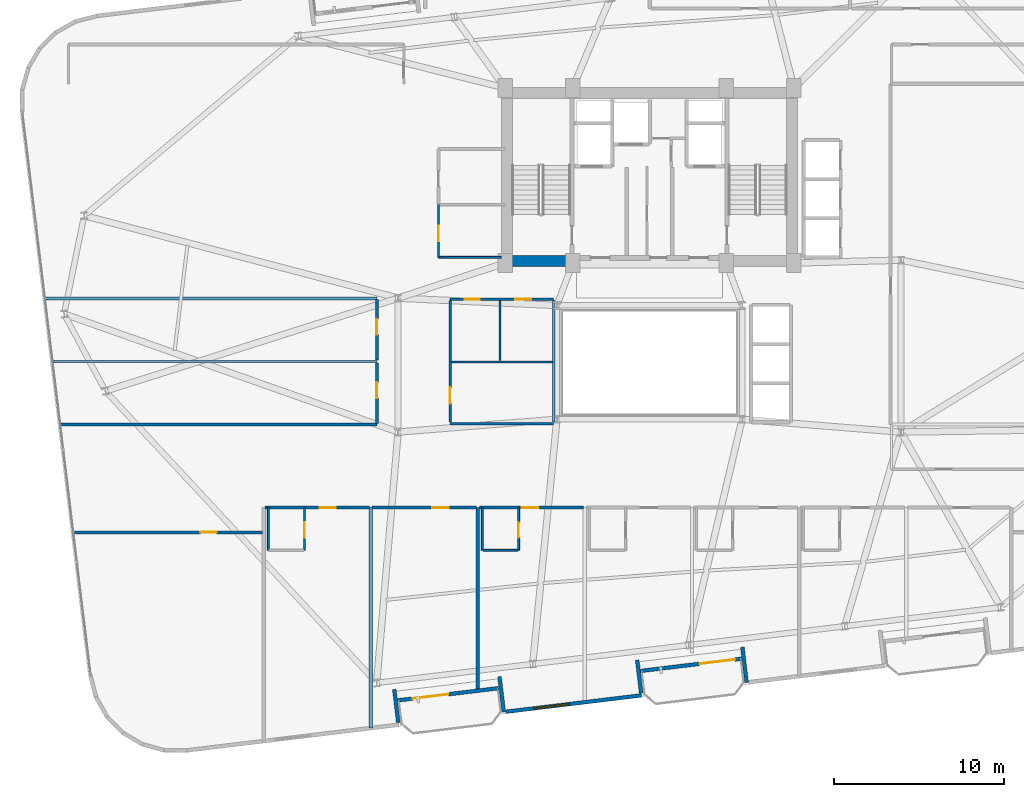
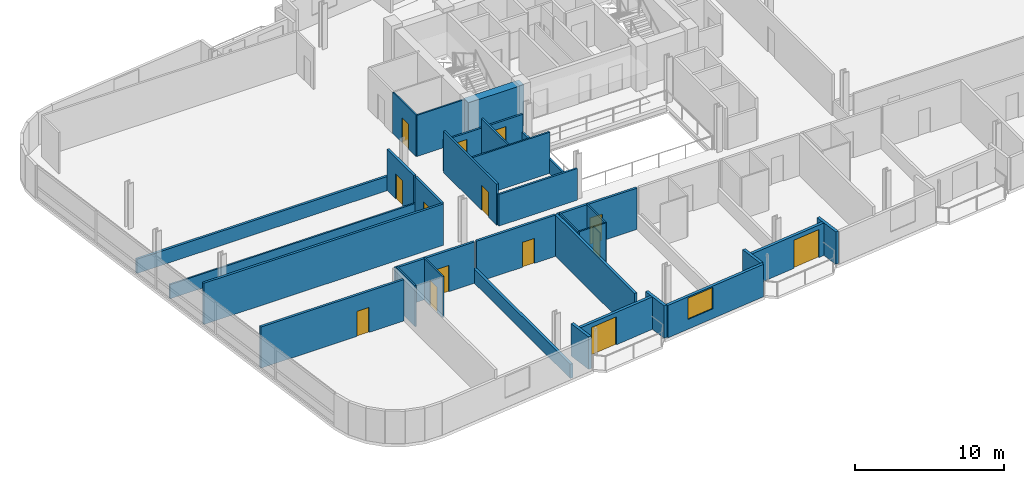
# One storey, part 14 of 22: 32 walls, 14 doors, 1 window, 15 openings.
"""IFC4 building model written with IfcOpenShell, lengths in metres."""

from ifc_helpers import new_model, si_unit, direction, frame, frame_2d, origin, place, context, subcontext, project, spatial, rectangle, extrude, material, layer, layer_set, type_object, element, fill, save


model = new_model("IFC4")

# Units and contexts
model_context = context("Model", 3, precision=1e-05, world=origin(), true_north=direction((0.0, 1.0)))
body_context = subcontext(model_context, "Body", "Model", "MODEL_VIEW")
ifc_project = project(units=[si_unit("LENGTHUNIT", "METRE"), si_unit("AREAUNIT", "SQUARE_METRE"), si_unit("VOLUMEUNIT", "CUBIC_METRE"), si_unit("PLANEANGLEUNIT", "RADIAN"), si_unit("MASSUNIT", "GRAM", prefix="KILO")], contexts=[model_context])

# Site, building, storey
site_placement = place(None, origin())
site = spatial("IfcSite", under=ifc_project, at=site_placement, CompositionType="ELEMENT")
building_placement = place(site_placement, origin())
building = spatial("IfcBuilding", under=site, at=building_placement, Name="Varnelok Gate Tower", CompositionType="ELEMENT")
storey_placement = place(building_placement, frame((0.0, 0.0, 204.199951171875)))
storey = spatial("IfcBuildingStorey", under=building, at=storey_placement, Name="L52", CompositionType="ELEMENT", Elevation=204.199951171875)

# Wall, opening, door
ifc_material_1 = material(Name="Concrete C45/55", Category="concrete")
ifc_layer_1 = layer(ifc_material_1, 0.219970703125)
ifc_layer_set_1 = layer_set([ifc_layer_1], Name="Concrete C45/55")
wall_type_1 = type_object("IfcWallType", Name="EW-BALC-220", PredefinedType="SOLIDWALL", material=ifc_layer_set_1)
wall_1_placement = place(storey_placement, frame((30.331787109375, 3.72607421875, 0.0), z_axis=(0.0, 0.0, 1.0), x_axis=(-0.992729951822, -0.120362962556, 0.0)))
wall_1 = element("IfcWall", 1, at=wall_1_placement, inside=storey, type_object=wall_type_1, Name="L52 South Terrace Envelope Wall 1", PredefinedType="SOLIDWALL", context=body_context, shape_type="SweptSolid", body=[
    extrude(rectangle(XDim=6.0, YDim=0.219970703125, at=frame_2d((3.0, 0.0))), origin(), (0.0, 0.0, 1.0), 2.66015625),
])
opening_1_placement = place(wall_1_placement, frame((3.00390625, 0.0, 0.0)))
opening_1 = element("IfcOpeningElement", 2, at=opening_1_placement, cuts=wall_1, Name="Opening BD-2", PredefinedType="OPENING", context=body_context, shape_type="SweptSolid", body=[
    extrude(rectangle(XDim=2.10009765625, YDim=2.300048828125, at=frame_2d((1.050048828125, 1.14990234375))), frame((0.0, 0.119873046875, 0.0), z_axis=(0.0, -1.0, 0.0), x_axis=(1.0, 0.0, 0.0)), (0.0, 0.0, 1.0), 0.239990234375),
])
ifc_material_2 = material(Name="Anodized Aluminum Alloy 6063-T6", Category="aluminium")
door_type_1 = type_object("IfcDoorType", Name="DR-EXT-SLID2100", OperationType="SLIDING_TO_LEFT", PredefinedType="DOOR", material=ifc_material_2)
door_1_placement = place(opening_1_placement, origin())
door_1 = element("IfcDoor", 3, at=door_1_placement, inside=storey, type_object=door_type_1, Name="L52 South Balcony Glazed Door 1", OperationType="SLIDING_TO_LEFT", OverallHeight=2.300048828125, OverallWidth=2.10009765625, PredefinedType="DOOR", context=body_context, shape_type="SweptSolid", body=[
    extrude(rectangle(XDim=2.10009765625, YDim=2.300048828125, at=frame_2d((1.050048828125, 1.14990234375))), frame((0.0, 0.02490234375, 0.0), z_axis=(0.0, -1.0, 0.0), x_axis=(1.0, 0.0, 0.0)), (0.0, 0.0, 1.0), 0.050048828125),
])
fill(opening_1, door_1)

wall_2_placement = place(storey_placement, frame((44.627197265625, 5.458984375, 0.0), z_axis=(0.0, 0.0, 1.0), x_axis=(-0.992729951822, -0.120362962556, 0.0)))
wall_2 = element("IfcWall", 4, at=wall_2_placement, inside=storey, type_object=wall_type_1, Name="L52 South Terrace Envelope Wall 2", PredefinedType="SOLIDWALL", context=body_context, shape_type="SweptSolid", body=[
    extrude(rectangle(XDim=6.0, YDim=0.219970703125, at=frame_2d((3.0, 0.0))), origin(), (0.0, 0.0, 1.0), 2.66015625),
])
opening_2_placement = place(wall_2_placement, frame((0.39990234375, 0.0, 0.0)))
opening_2 = element("IfcOpeningElement", 5, at=opening_2_placement, cuts=wall_2, Name="Opening BD-2", PredefinedType="OPENING", context=body_context, shape_type="SweptSolid", body=[
    extrude(rectangle(XDim=2.10009765625, YDim=2.300048828125, at=frame_2d((1.050048828125, 1.14990234375))), frame((0.0, 0.119873046875, 0.0), z_axis=(0.0, -1.0, 0.0), x_axis=(1.0, 0.0, 0.0)), (0.0, 0.0, 1.0), 0.239990234375),
])
door_2_placement = place(opening_2_placement, origin())
door_2 = element("IfcDoor", 6, at=door_2_placement, inside=storey, type_object=door_type_1, Name="L52 South Balcony Glazed Door 2", OperationType="SLIDING_TO_LEFT", OverallHeight=2.300048828125, OverallWidth=2.10009765625, PredefinedType="DOOR", context=body_context, shape_type="SweptSolid", body=[
    extrude(rectangle(XDim=2.10009765625, YDim=2.300048828125, at=frame_2d((1.050048828125, 1.14990234375))), frame((0.0, 0.02490234375, 0.0), z_axis=(0.0, -1.0, 0.0), x_axis=(1.0, 0.0, 0.0)), (0.0, 0.0, 1.0), 0.050048828125),
])
fill(opening_2, door_2)

# Walls
wall_3_placement = place(storey_placement, frame((24.413330078125, 1.694091796875, 0.0), z_axis=(0.0, 0.0, 1.0), x_axis=(-0.120290754542, 0.992738703976, 0.0)))
element("IfcWall", 7, at=wall_3_placement, inside=storey, type_object=wall_type_1, Name="L52 Perimeter Facade Closure Wall 8", PredefinedType="SOLIDWALL", context=body_context, shape_type="SweptSolid", body=[
    extrude(rectangle(XDim=1.974853515625, YDim=0.219970703125, at=frame_2d((0.9873046875, 0.0))), origin(), (0.0, 0.0, 1.0), 2.66015625),
])
wall_4_placement = place(storey_placement, frame((30.370361328125, 4.405517578125, 0.0), z_axis=(0.0, 0.0, 1.0), x_axis=(0.120327895535, -0.992734202874, 0.0)))
element("IfcWall", 8, at=wall_4_placement, inside=storey, type_object=wall_type_1, Name="L52 Perimeter Facade Closure Wall 9", PredefinedType="SOLIDWALL", context=body_context, shape_type="SweptSolid", body=[
    extrude(rectangle(XDim=2.099853515625, YDim=0.219970703125, at=frame_2d((1.0498046875, 0.0))), origin(), (0.0, 0.0, 1.0), 2.66015625),
])

# Wall, opening, window
wall_5_placement = place(storey_placement, frame((30.747314453125, 2.335693359375, 0.0), z_axis=(0.0, 0.0, 1.0), x_axis=(0.992731032022, 0.120354052946, 0.0)))
wall_5 = element("IfcWall", 9, at=wall_5_placement, inside=storey, type_object=wall_type_1, Name="L52 Perimeter Facade Closure Wall 10", PredefinedType="SOLIDWALL", context=body_context, shape_type="SweptSolid", body=[
    extrude(rectangle(XDim=8.034912109375, YDim=0.219970703125, at=frame_2d((4.017578125, 0.0))), origin(), (0.0, 0.0, 1.0), 2.66015625),
])
opening_3_placement = place(wall_5_placement, frame((1.661865234375, 0.0, 0.800048828125)))
opening_3 = element("IfcOpeningElement", 10, at=opening_3_placement, cuts=wall_5, Name="Opening WN4", PredefinedType="OPENING", context=body_context, shape_type="SweptSolid", body=[
    extrude(rectangle(XDim=2.10009765625, YDim=1.75, at=frame_2d((1.050048828125, 0.875))), frame((0.0, 0.119873046875, 0.0), z_axis=(0.0, -1.0, 0.0), x_axis=(1.0, 0.0, 0.0)), (0.0, 0.0, 1.0), 0.239990234375),
])
ifc_material_3 = material(Name="Low-E Laminated Double Glazing IGU", Category="glass")
window_type = type_object("IfcWindowType", Name="WN-SUI-2100", PartitioningType="SINGLE_PANEL", PredefinedType="WINDOW", material=ifc_material_3)
window_placement = place(opening_3_placement, origin())
window = element("IfcWindow", 11, at=window_placement, inside=storey, type_object=window_type, Name="L52 Perimeter Vision Window 10", OverallHeight=1.75, OverallWidth=2.10009765625, PartitioningType="SINGLE_PANEL", PredefinedType="WINDOW", context=body_context, shape_type="SweptSolid", body=[
    extrude(rectangle(XDim=2.10009765625, YDim=1.75, at=frame_2d((1.050048828125, 0.875))), frame((0.0, 0.030029296875, 0.0), z_axis=(0.0, -1.0, 0.0), x_axis=(1.0, 0.0, 0.0)), (0.0, 0.0, 1.0), 0.06005859375),
])
fill(opening_3, window)

# Walls
wall_6_placement = place(storey_placement, frame((38.708740234375, 3.427001953125, 0.0), z_axis=(0.0, 0.0, 1.0), x_axis=(-0.120397815541, 0.992725725472, 0.0)))
element("IfcWall", 12, at=wall_6_placement, inside=storey, type_object=wall_type_1, Name="L52 Perimeter Facade Closure Wall 11", PredefinedType="SOLIDWALL", context=body_context, shape_type="SweptSolid", body=[
    extrude(rectangle(XDim=1.97509765625, YDim=0.219970703125, at=frame_2d((0.987548828125, 0.0))), origin(), (0.0, 0.0, 1.0), 2.66015625),
])
wall_7_placement = place(storey_placement, frame((44.665771484375, 6.138427734375, 0.0), z_axis=(0.0, 0.0, 1.0), x_axis=(0.120327895535, -0.992734202874, 0.0)))
element("IfcWall", 13, at=wall_7_placement, inside=storey, type_object=wall_type_1, Name="L52 Perimeter Facade Closure Wall 12", PredefinedType="SOLIDWALL", context=body_context, shape_type="SweptSolid", body=[
    extrude(rectangle(XDim=2.099853515625, YDim=0.219970703125, at=frame_2d((1.0498046875, 0.0))), origin(), (0.0, 0.0, 1.0), 2.66015625),
])

# Wall, opening, door
ifc_material_4 = material(Name="Gypsum Plasterboard Acoustic Partition", Category="gypsum")
ifc_layer_2 = layer(ifc_material_4, 0.179931640625)
ifc_layer_set_2 = layer_set([ifc_layer_2], Name="Gypsum Plasterboard Acoustic Partition")
wall_type_2 = type_object("IfcWallType", Name="PW-CORR-180", PredefinedType="PARTITIONING", material=ifc_layer_set_2)
wall_8_placement = place(storey_placement, frame((5.32568359375, 12.89990234375, 0.0), z_axis=(0.0, 0.0, 1.0), x_axis=(1.0, 0.0, 0.0)))
wall_8 = element("IfcWall", 14, at=wall_8_placement, inside=storey, type_object=wall_type_2, Name="Interior Partition", PredefinedType="PARTITIONING", context=body_context, shape_type="SweptSolid", body=[
    extrude(rectangle(XDim=11.09423828125, YDim=0.179931640625, at=frame_2d((5.547119140625, 0.0))), origin(), (0.0, 0.0, 1.0), 3.380126953125),
])
opening_4_placement = place(wall_8_placement, frame((7.439208984375, 0.0, 0.0)))
opening_4 = element("IfcOpeningElement", 15, at=opening_4_placement, cuts=wall_8, Name="Opening D-I2", PredefinedType="OPENING", context=body_context, shape_type="SweptSolid", body=[
    extrude(rectangle(XDim=0.949951171875, YDim=2.050048828125, at=frame_2d((0.47509765625, 1.02490234375))), frame((0.0, 0.099853515625, 0.0), z_axis=(0.0, -1.0, 0.0), x_axis=(1.0, 0.0, 0.0)), (0.0, 0.0, 1.0), 0.199951171875),
])
ifc_material_5 = material(Name="Engineered Hardwood Timber", Category="wood")
door_type_2 = type_object("IfcDoorType", Name="DR-INT-950", OperationType="NOTDEFINED", PredefinedType="DOOR", material=ifc_material_5)
door_3_placement = place(opening_4_placement, origin())
door_3 = element("IfcDoor", 16, at=door_3_placement, inside=storey, type_object=door_type_2, Name="L52 Wellness Spa Lounge Door", OperationType="SINGLE_SWING_LEFT", OverallHeight=2.050048828125, OverallWidth=0.949951171875, PredefinedType="DOOR", context=body_context, shape_type="SweptSolid", body=[
    extrude(rectangle(XDim=0.949951171875, YDim=2.050048828125, at=frame_2d((0.47509765625, 1.02490234375))), frame((0.0, 0.02490234375, 0.0), z_axis=(0.0, -1.0, 0.0), x_axis=(1.0, 0.0, 0.0)), (0.0, 0.0, 1.0), 0.050048828125),
])
fill(opening_4, door_3)

wall_9_placement = place(storey_placement, frame((16.580078125, 14.35009765625, 0.0), z_axis=(0.0, 0.0, 1.0), x_axis=(1.0, 0.0, 0.0)))
wall_9 = element("IfcWall", 17, at=wall_9_placement, inside=storey, type_object=wall_type_2, Name="Interior Partition", PredefinedType="PARTITIONING", context=body_context, shape_type="SweptSolid", body=[
    extrude(rectangle(XDim=6.139892578125, YDim=0.179931640625, at=frame_2d((3.06982421875, 0.0))), origin(), (0.0, 0.0, 1.0), 3.380126953125),
])
opening_5_placement = place(wall_9_placement, frame((3.21435546875, 0.0, 0.0)))
opening_5 = element("IfcOpeningElement", 18, at=opening_5_placement, cuts=wall_9, Name="Opening D-HT", PredefinedType="OPENING", context=body_context, shape_type="SweptSolid", body=[
    extrude(rectangle(XDim=0.949951171875, YDim=2.14990234375, at=frame_2d((0.47509765625, 1.074951171875))), frame((0.0, 0.099853515625, 0.0), z_axis=(0.0, -1.0, 0.0), x_axis=(1.0, 0.0, 0.0)), (0.0, 0.0, 1.0), 0.199951171875),
])
door_type_3 = type_object("IfcDoorType", Name="DR-HTL-950", OperationType="NOTDEFINED", PredefinedType="DOOR", material=ifc_material_5)
door_4_placement = place(opening_5_placement, origin())
door_4 = element("IfcDoor", 19, at=door_4_placement, inside=storey, type_object=door_type_3, Name="L52 Guest Room 02 Entrance Door", OperationType="SINGLE_SWING_LEFT", OverallHeight=2.14990234375, OverallWidth=0.949951171875, PredefinedType="DOOR", context=body_context, shape_type="SweptSolid", body=[
    extrude(rectangle(XDim=0.949951171875, YDim=2.14990234375, at=frame_2d((0.47509765625, 1.074951171875))), frame((0.0, 0.02490234375, 0.0), z_axis=(0.0, -1.0, 0.0), x_axis=(1.0, 0.0, 0.0)), (0.0, 0.0, 1.0), 0.050048828125),
])
fill(opening_5, door_4)

wall_10_placement = place(storey_placement, frame((22.8798828125, 14.35009765625, 0.0), z_axis=(0.0, 0.0, 1.0), x_axis=(1.0, 0.0, 0.0)))
wall_10 = element("IfcWall", 20, at=wall_10_placement, inside=storey, type_object=wall_type_2, Name="Interior Partition", PredefinedType="PARTITIONING", context=body_context, shape_type="SweptSolid", body=[
    extrude(rectangle(XDim=6.14013671875, YDim=0.179931640625, at=frame_2d((3.070068359375, 0.0))), origin(), (0.0, 0.0, 1.0), 3.380126953125),
])
opening_6_placement = place(wall_10_placement, frame((3.544921875, 0.0, 0.0)))
opening_6 = element("IfcOpeningElement", 21, at=opening_6_placement, cuts=wall_10, Name="Opening D-I2", PredefinedType="OPENING", context=body_context, shape_type="SweptSolid", body=[
    extrude(rectangle(XDim=0.949951171875, YDim=2.050048828125, at=frame_2d((0.47509765625, 1.02490234375))), frame((0.0, 0.099853515625, 0.0), z_axis=(0.0, -1.0, 0.0), x_axis=(1.0, 0.0, 0.0)), (0.0, 0.0, 1.0), 0.199951171875),
])
door_5_placement = place(opening_6_placement, origin())
door_5 = element("IfcDoor", 22, at=door_5_placement, inside=storey, type_object=door_type_2, Name="L52 Wellness Spa Lounge Door", OperationType="SINGLE_SWING_LEFT", OverallHeight=2.050048828125, OverallWidth=0.949951171875, PredefinedType="DOOR", context=body_context, shape_type="SweptSolid", body=[
    extrude(rectangle(XDim=0.949951171875, YDim=2.050048828125, at=frame_2d((0.47509765625, 1.02490234375))), frame((0.0, 0.02490234375, 0.0), z_axis=(0.0, -1.0, 0.0), x_axis=(1.0, 0.0, 0.0)), (0.0, 0.0, 1.0), 0.050048828125),
])
fill(opening_6, door_5)

wall_11_placement = place(storey_placement, frame((29.179931640625, 14.35009765625, 0.0), z_axis=(0.0, 0.0, 1.0), x_axis=(1.0, 0.0, 0.0)))
wall_11 = element("IfcWall", 23, at=wall_11_placement, inside=storey, type_object=wall_type_2, Name="Interior Partition", PredefinedType="PARTITIONING", context=body_context, shape_type="SweptSolid", body=[
    extrude(rectangle(XDim=6.14013671875, YDim=0.179931640625, at=frame_2d((3.070068359375, 0.0))), origin(), (0.0, 0.0, 1.0), 3.380126953125),
])
opening_7_placement = place(wall_11_placement, frame((2.511962890625, 0.0, 0.0)))
opening_7 = element("IfcOpeningElement", 24, at=opening_7_placement, cuts=wall_11, Name="Opening D-HT", PredefinedType="OPENING", context=body_context, shape_type="SweptSolid", body=[
    extrude(rectangle(XDim=0.949951171875, YDim=2.14990234375, at=frame_2d((0.47509765625, 1.074951171875))), frame((0.0, 0.099853515625, 0.0), z_axis=(0.0, -1.0, 0.0), x_axis=(1.0, 0.0, 0.0)), (0.0, 0.0, 1.0), 0.199951171875),
])
door_6_placement = place(opening_7_placement, origin())
door_6 = element("IfcDoor", 25, at=door_6_placement, inside=storey, type_object=door_type_3, Name="L52 Guest Room 04 Entrance Door", OperationType="SINGLE_SWING_LEFT", OverallHeight=2.14990234375, OverallWidth=0.949951171875, PredefinedType="DOOR", context=body_context, shape_type="SweptSolid", body=[
    extrude(rectangle(XDim=0.949951171875, YDim=2.14990234375, at=frame_2d((0.47509765625, 1.074951171875))), frame((0.0, 0.02490234375, 0.0), z_axis=(0.0, -1.0, 0.0), x_axis=(1.0, 0.0, 0.0)), (0.0, 0.0, 1.0), 0.050048828125),
])
fill(opening_7, door_6)

wall_12_placement = place(storey_placement, frame((23.14990234375, 19.300048828125, 0.0), z_axis=(0.0, 0.0, 1.0), x_axis=(0.0, 1.0, 0.0)))
wall_12 = element("IfcWall", 26, at=wall_12_placement, inside=storey, type_object=wall_type_2, Name="Interior Partition", PredefinedType="PARTITIONING", context=body_context, shape_type="SweptSolid", body=[
    extrude(rectangle(XDim=3.570068359375, YDim=0.179931640625, at=frame_2d((1.78515625, 0.0))), origin(), (0.0, 0.0, 1.0), 3.380126953125),
])
opening_8_placement = place(wall_12_placement, frame((1.49951171875, 0.0, 0.0)))
opening_8 = element("IfcOpeningElement", 27, at=opening_8_placement, cuts=wall_12, Name="Opening D-I3", PredefinedType="OPENING", context=body_context, shape_type="SweptSolid", body=[
    extrude(rectangle(XDim=0.919921875, YDim=2.050048828125, at=frame_2d((0.4599609375, 1.02490234375))), frame((0.0, 0.099853515625, 0.0), z_axis=(0.0, -1.0, 0.0), x_axis=(1.0, 0.0, 0.0)), (0.0, 0.0, 1.0), 0.199951171875),
])
door_type_4 = type_object("IfcDoorType", Name="DR-INT-920", OperationType="NOTDEFINED", PredefinedType="DOOR", material=ifc_material_5)
door_7_placement = place(opening_8_placement, origin())
door_7 = element("IfcDoor", 28, at=door_7_placement, inside=storey, type_object=door_type_4, Name="L52 West Wing Room 1 Door", OperationType="SINGLE_SWING_LEFT", OverallHeight=2.050048828125, OverallWidth=0.919921875, PredefinedType="DOOR", context=body_context, shape_type="SweptSolid", body=[
    extrude(rectangle(XDim=0.919921875, YDim=2.050048828125, at=frame_2d((0.4599609375, 1.02490234375))), frame((0.0, 0.02490234375, 0.0), z_axis=(0.0, -1.0, 0.0), x_axis=(1.0, 0.0, 0.0)), (0.0, 0.0, 1.0), 0.050048828125),
])
fill(opening_8, door_7)

wall_13_placement = place(storey_placement, frame((23.14990234375, 23.030029296875, 0.0), z_axis=(0.0, 0.0, 1.0), x_axis=(0.0, 1.0, 0.0)))
wall_13 = element("IfcWall", 29, at=wall_13_placement, inside=storey, type_object=wall_type_2, Name="Interior Partition", PredefinedType="PARTITIONING", context=body_context, shape_type="SweptSolid", body=[
    extrude(rectangle(XDim=3.570068359375, YDim=0.179931640625, at=frame_2d((1.78515625, 0.0))), origin(), (0.0, 0.0, 1.0), 3.380126953125),
])
opening_9_placement = place(wall_13_placement, frame((1.49951171875, 0.0, 0.0)))
opening_9 = element("IfcOpeningElement", 30, at=opening_9_placement, cuts=wall_13, Name="Opening D-I3", PredefinedType="OPENING", context=body_context, shape_type="SweptSolid", body=[
    extrude(rectangle(XDim=0.919921875, YDim=2.050048828125, at=frame_2d((0.4599609375, 1.02490234375))), frame((0.0, 0.099853515625, 0.0), z_axis=(0.0, -1.0, 0.0), x_axis=(1.0, 0.0, 0.0)), (0.0, 0.0, 1.0), 0.199951171875),
])
door_8_placement = place(opening_9_placement, origin())
door_8 = element("IfcDoor", 31, at=door_8_placement, inside=storey, type_object=door_type_4, Name="L52 West Wing Room 2 Door", OperationType="SINGLE_SWING_RIGHT", OverallHeight=2.050048828125, OverallWidth=0.919921875, PredefinedType="DOOR", context=body_context, shape_type="SweptSolid", body=[
    extrude(rectangle(XDim=0.919921875, YDim=2.050048828125, at=frame_2d((0.4599609375, 1.02490234375))), frame((0.0, 0.02490234375, 0.0), z_axis=(0.0, -1.0, 0.0), x_axis=(1.0, 0.0, 0.0)), (0.0, 0.0, 1.0), 0.050048828125),
])
fill(opening_9, door_8)

# Walls
wall_14_placement = place(storey_placement, frame((4.55712890625, 19.239990234375, 0.0), z_axis=(0.0, 0.0, 1.0), x_axis=(1.0, 0.0, 0.0)))
element("IfcWall", 32, at=wall_14_placement, inside=storey, type_object=wall_type_2, Name="Interior Partition", PredefinedType="PARTITIONING", context=body_context, shape_type="SweptSolid", body=[
    extrude(rectangle(XDim=18.5927734375, YDim=0.179931640625, at=frame_2d((9.29638671875, 0.0))), origin(), (0.0, 0.0, 1.0), 3.380126953125),
])
wall_15_placement = place(storey_placement, frame((3.65771484375, 26.659912109375, 0.0), z_axis=(0.0, 0.0, 1.0), x_axis=(1.0, 0.0, 0.0)))
element("IfcWall", 33, at=wall_15_placement, inside=storey, type_object=wall_type_2, Name="Interior Partition", PredefinedType="PARTITIONING", context=body_context, shape_type="SweptSolid", body=[
    extrude(rectangle(XDim=19.4921875, YDim=0.179931640625, at=frame_2d((9.74609375, 0.0))), origin(), (0.0, 0.0, 1.0), 1.1650390625),
])

# Wall, opening, door
ifc_layer_3 = layer(ifc_material_4, 0.114990234375)
ifc_layer_set_3 = layer_set([ifc_layer_3], Name="Gypsum Plasterboard Acoustic Partition")
wall_type_3 = type_object("IfcWallType", Name="PW-ENS-125", PredefinedType="PARTITIONING", material=ifc_layer_set_3)
wall_16_placement = place(storey_placement, frame((18.89208984375, 11.830078125, 0.0), z_axis=(0.0, 0.0, 1.0), x_axis=(0.0, 1.0, 0.0)))
wall_16 = element("IfcWall", 34, at=wall_16_placement, inside=storey, type_object=wall_type_3, Name="Interior Partition", PredefinedType="PARTITIONING", context=body_context, shape_type="SweptSolid", body=[
    extrude(rectangle(XDim=2.52001953125, YDim=0.114990234375, at=frame_2d((1.260009765625, 0.0))), origin(), (0.0, 0.0, 1.0), 3.380126953125),
])
opening_10_placement = place(wall_16_placement, frame((0.760009765625, 0.0, 0.0)))
opening_10 = element("IfcOpeningElement", 35, at=opening_10_placement, cuts=wall_16, Name="Opening D-WC", PredefinedType="OPENING", context=body_context, shape_type="SweptSolid", body=[
    extrude(rectangle(XDim=0.89990234375, YDim=2.050048828125, at=frame_2d((0.449951171875, 1.02490234375))), frame((0.0, 0.0673828125, 0.0), z_axis=(0.0, -1.0, 0.0), x_axis=(1.0, 0.0, 0.0)), (0.0, 0.0, 1.0), 0.135009765625),
])
door_type_5 = type_object("IfcDoorType", Name="DR-BATH-900", OperationType="NOTDEFINED", PredefinedType="DOOR", material=ifc_material_5)
door_9_placement = place(opening_10_placement, origin())
door_9 = element("IfcDoor", 36, at=door_9_placement, inside=storey, type_object=door_type_5, Name="L52 Guest En-Suite 02 Door", OperationType="SINGLE_SWING_LEFT", OverallHeight=2.050048828125, OverallWidth=0.89990234375, PredefinedType="DOOR", context=body_context, shape_type="SweptSolid", body=[
    extrude(rectangle(XDim=0.89990234375, YDim=2.050048828125, at=frame_2d((0.449951171875, 1.02490234375))), frame((0.0, 0.02490234375, 0.0), z_axis=(0.0, -1.0, 0.0), x_axis=(1.0, 0.0, 0.0)), (0.0, 0.0, 1.0), 0.050048828125),
])
fill(opening_10, door_9)

# Walls
wall_17_placement = place(storey_placement, frame((16.760009765625, 11.830078125, 0.0), z_axis=(0.0, 0.0, 1.0), x_axis=(0.0, 1.0, 0.0)))
element("IfcWall", 37, at=wall_17_placement, inside=storey, type_object=wall_type_3, Name="Interior Partition", PredefinedType="PARTITIONING", context=body_context, shape_type="SweptSolid", body=[
    extrude(rectangle(XDim=2.52001953125, YDim=0.114990234375, at=frame_2d((1.260009765625, 0.0))), origin(), (0.0, 0.0, 1.0), 3.380126953125),
])
wall_18_placement = place(storey_placement, frame((29.39990234375, 11.830078125, 0.0), z_axis=(0.0, 0.0, 1.0), x_axis=(1.0, 0.0, 0.0)))
element("IfcWall", 38, at=wall_18_placement, inside=storey, type_object=wall_type_3, Name="Interior Partition", PredefinedType="PARTITIONING", context=body_context, shape_type="SweptSolid", body=[
    extrude(rectangle(XDim=2.052001953125, YDim=0.114990234375, at=frame_2d((1.02587890625, 0.0))), origin(), (0.0, 0.0, 1.0), 3.380126953125),
])

# Wall, opening, door
wall_19_placement = place(storey_placement, frame((31.491943359375, 11.830078125, 0.0), z_axis=(0.0, 0.0, 1.0), x_axis=(0.0, 1.0, 0.0)))
wall_19 = element("IfcWall", 39, at=wall_19_placement, inside=storey, type_object=wall_type_3, Name="Interior Partition", PredefinedType="PARTITIONING", context=body_context, shape_type="SweptSolid", body=[
    extrude(rectangle(XDim=2.52001953125, YDim=0.114990234375, at=frame_2d((1.260009765625, 0.0))), origin(), (0.0, 0.0, 1.0), 3.380126953125),
])
opening_11_placement = place(wall_19_placement, frame((0.760009765625, 0.0, 0.0)))
opening_11 = element("IfcOpeningElement", 40, at=opening_11_placement, cuts=wall_19, Name="Opening D-WC", PredefinedType="OPENING", context=body_context, shape_type="SweptSolid", body=[
    extrude(rectangle(XDim=0.89990234375, YDim=2.050048828125, at=frame_2d((0.449951171875, 1.02490234375))), frame((0.0, 0.0673828125, 0.0), z_axis=(0.0, -1.0, 0.0), x_axis=(1.0, 0.0, 0.0)), (0.0, 0.0, 1.0), 0.135009765625),
])
door_10_placement = place(opening_11_placement, origin())
door_10 = element("IfcDoor", 41, at=door_10_placement, inside=storey, type_object=door_type_5, Name="L52 Guest En-Suite 04 Door", OperationType="SINGLE_SWING_LEFT", OverallHeight=2.050048828125, OverallWidth=0.89990234375, PredefinedType="DOOR", context=body_context, shape_type="SweptSolid", body=[
    extrude(rectangle(XDim=0.89990234375, YDim=2.050048828125, at=frame_2d((0.449951171875, 1.02490234375))), frame((0.0, 0.02490234375, 0.0), z_axis=(0.0, -1.0, 0.0), x_axis=(1.0, 0.0, 0.0)), (0.0, 0.0, 1.0), 0.050048828125),
])
fill(opening_11, door_10)

# Walls
wall_20_placement = place(storey_placement, frame((29.360107421875, 11.830078125, 0.0), z_axis=(0.0, 0.0, 1.0), x_axis=(0.0, 1.0, 0.0)))
element("IfcWall", 42, at=wall_20_placement, inside=storey, type_object=wall_type_3, Name="Interior Partition", PredefinedType="PARTITIONING", context=body_context, shape_type="SweptSolid", body=[
    extrude(rectangle(XDim=2.52001953125, YDim=0.114990234375, at=frame_2d((1.260009765625, 0.0))), origin(), (0.0, 0.0, 1.0), 3.380126953125),
])
wall_21_placement = place(storey_placement, frame((26.780029296875, 29.080078125, 0.0), z_axis=(0.0, 0.0, 1.0), x_axis=(1.0, 0.0, 0.0)))
element("IfcWall", 43, at=wall_21_placement, inside=storey, type_object=wall_type_3, Name="Interior Partition", PredefinedType="PARTITIONING", context=body_context, shape_type="SweptSolid", body=[
    extrude(rectangle(XDim=3.699951171875, YDim=0.114990234375, at=frame_2d((1.85009765625, 0.0))), origin(), (0.0, 0.0, 1.0), 3.380126953125),
])

# Wall, opening, door
wall_22_placement = place(storey_placement, frame((26.780029296875, 29.080078125, 0.0), z_axis=(0.0, 0.0, 1.0), x_axis=(0.0, 1.0, 0.0)))
wall_22 = element("IfcWall", 44, at=wall_22_placement, inside=storey, type_object=wall_type_3, Name="Interior Partition", PredefinedType="PARTITIONING", context=body_context, shape_type="SweptSolid", body=[
    extrude(rectangle(XDim=3.10986328125, YDim=0.114990234375, at=frame_2d((1.554931640625, 0.0))), origin(), (0.0, 0.0, 1.0), 3.380126953125),
])
opening_12_placement = place(wall_22_placement, frame((0.949951171875, 0.0, 0.0)))
opening_12 = element("IfcOpeningElement", 45, at=opening_12_placement, cuts=wall_22, Name="Opening D-WC", PredefinedType="OPENING", context=body_context, shape_type="SweptSolid", body=[
    extrude(rectangle(XDim=0.89990234375, YDim=2.050048828125, at=frame_2d((0.449951171875, 1.02490234375))), frame((0.0, 0.0673828125, 0.0), z_axis=(0.0, -1.0, 0.0), x_axis=(1.0, 0.0, 0.0)), (0.0, 0.0, 1.0), 0.135009765625),
])
door_11_placement = place(opening_12_placement, origin())
door_11 = element("IfcDoor", 46, at=door_11_placement, inside=storey, type_object=door_type_5, Name="L52 Core Floor WC Door", OperationType="SINGLE_SWING_LEFT", OverallHeight=2.050048828125, OverallWidth=0.89990234375, PredefinedType="DOOR", context=body_context, shape_type="SweptSolid", body=[
    extrude(rectangle(XDim=0.89990234375, YDim=2.050048828125, at=frame_2d((0.449951171875, 1.02490234375))), frame((0.0, 0.02490234375, 0.0), z_axis=(0.0, -1.0, 0.0), x_axis=(1.0, 0.0, 0.0)), (0.0, 0.0, 1.0), 0.050048828125),
])
fill(opening_12, door_11)

# Walls
ifc_layer_4 = layer(ifc_material_4, 0.125)
ifc_layer_set_4 = layer_set([ifc_layer_4], Name="Gypsum Plasterboard Acoustic Partition")
wall_type_4 = type_object("IfcWallType", Name="PW-PART-125", PredefinedType="PARTITIONING", material=ifc_layer_set_4)
wall_23_placement = place(storey_placement, frame((4.107421875, 22.949951171875, 0.0), z_axis=(0.0, 0.0, 1.0), x_axis=(1.0, 0.0, 0.0)))
element("IfcWall", 47, at=wall_23_placement, inside=storey, type_object=wall_type_4, Name="Interior Partition", PredefinedType="PARTITIONING", context=body_context, shape_type="SweptSolid", body=[
    extrude(rectangle(XDim=19.04248046875, YDim=0.125, at=frame_2d((9.521240234375, 0.0))), origin(), (0.0, 0.0, 1.0), 1.1650390625),
])
wall_24_placement = place(storey_placement, frame((27.52001953125, 22.929931640625, 0.0), z_axis=(0.0, 0.0, 1.0), x_axis=(1.0, 0.0, 0.0)))
element("IfcWall", 48, at=wall_24_placement, inside=storey, type_object=wall_type_4, Name="Interior Partition", PredefinedType="PARTITIONING", context=body_context, shape_type="SweptSolid", body=[
    extrude(rectangle(XDim=6.0, YDim=0.125, at=frame_2d((3.0, 0.0))), origin(), (0.0, 0.0, 1.0), 3.380126953125),
])
wall_25_placement = place(storey_placement, frame((30.39990234375, 23.0, 0.0), z_axis=(0.0, 0.0, 1.0), x_axis=(0.0, 1.0, 0.0)))
element("IfcWall", 49, at=wall_25_placement, inside=storey, type_object=wall_type_4, Name="Interior Partition", PredefinedType="PARTITIONING", context=body_context, shape_type="SweptSolid", body=[
    extrude(rectangle(XDim=3.5400390625, YDim=0.125, at=frame_2d((1.77001953125, 0.0))), origin(), (0.0, 0.0, 1.0), 3.380126953125),
])
ifc_layer_5 = layer(ifc_material_4, 0.14990234375)
ifc_layer_set_5 = layer_set([ifc_layer_5], Name="Gypsum Plasterboard Acoustic Partition")
wall_type_5 = type_object("IfcWallType", Name="PW-PART-150", PredefinedType="PARTITIONING", material=ifc_layer_set_5)
wall_26_placement = place(storey_placement, frame((27.4599609375, 19.300048828125, 0.0), z_axis=(0.0, 0.0, 1.0), x_axis=(1.0, 0.0, 0.0)))
element("IfcWall", 50, at=wall_26_placement, inside=storey, type_object=wall_type_5, Name="Interior Partition", PredefinedType="PARTITIONING", context=body_context, shape_type="SweptSolid", body=[
    extrude(rectangle(XDim=6.10009765625, YDim=0.14990234375, at=frame_2d((3.050048828125, 0.0))), origin(), (0.0, 0.0, 1.0), 2.592041015625),
])

# Wall, openings, doors
wall_27_placement = place(storey_placement, frame((27.4599609375, 26.6201171875, 0.0), z_axis=(0.0, 0.0, 1.0), x_axis=(1.0, 0.0, 0.0)))
wall_27 = element("IfcWall", 51, at=wall_27_placement, inside=storey, type_object=wall_type_5, Name="Interior Partition", PredefinedType="PARTITIONING", context=body_context, shape_type="SweptSolid", body=[
    extrude(rectangle(XDim=6.10009765625, YDim=0.14990234375, at=frame_2d((3.050048828125, 0.0))), origin(), (0.0, 0.0, 1.0), 2.592041015625),
])
opening_13_placement = place(wall_27_placement, frame((0.85009765625, 0.0, 0.0)))
opening_13 = element("IfcOpeningElement", 52, at=opening_13_placement, cuts=wall_27, Name="Opening D-WC", PredefinedType="OPENING", context=body_context, shape_type="SweptSolid", body=[
    extrude(rectangle(XDim=0.89990234375, YDim=2.050048828125, at=frame_2d((0.449951171875, 1.02490234375))), frame((0.0, 0.0849609375, 0.0), z_axis=(0.0, -1.0, 0.0), x_axis=(1.0, 0.0, 0.0)), (0.0, 0.0, 1.0), 0.169921875),
])
opening_14_placement = place(wall_27_placement, frame((3.85009765625, 0.0, 0.0)))
opening_14 = element("IfcOpeningElement", 53, at=opening_14_placement, cuts=wall_27, Name="Opening D-I3", PredefinedType="OPENING", context=body_context, shape_type="SweptSolid", body=[
    extrude(rectangle(XDim=0.919921875, YDim=2.050048828125, at=frame_2d((0.4599609375, 1.02490234375))), frame((0.0, 0.0849609375, 0.0), z_axis=(0.0, -1.0, 0.0), x_axis=(1.0, 0.0, 0.0)), (0.0, 0.0, 1.0), 0.169921875),
])
door_12_placement = place(opening_13_placement, origin())
door_12 = element("IfcDoor", 54, at=door_12_placement, inside=storey, type_object=door_type_5, Name="L52 Accessible Floor WC Door", OperationType="SINGLE_SWING_RIGHT", OverallHeight=2.050048828125, OverallWidth=0.89990234375, PredefinedType="DOOR", context=body_context, shape_type="SweptSolid", body=[
    extrude(rectangle(XDim=0.89990234375, YDim=2.050048828125, at=frame_2d((0.449951171875, 1.02490234375))), frame((0.0, 0.02490234375, 0.0), z_axis=(0.0, -1.0, 0.0), x_axis=(1.0, 0.0, 0.0)), (0.0, 0.0, 1.0), 0.050048828125),
])
fill(opening_13, door_12)
door_13_placement = place(opening_14_placement, origin())
door_13 = element("IfcDoor", 55, at=door_13_placement, inside=storey, type_object=door_type_4, Name="L52 Cleaner Supply Door", OperationType="SINGLE_SWING_LEFT", OverallHeight=2.050048828125, OverallWidth=0.919921875, PredefinedType="DOOR", context=body_context, shape_type="SweptSolid", body=[
    extrude(rectangle(XDim=0.919921875, YDim=2.050048828125, at=frame_2d((0.4599609375, 1.02490234375))), frame((0.0, 0.02490234375, 0.0), z_axis=(0.0, -1.0, 0.0), x_axis=(1.0, 0.0, 0.0)), (0.0, 0.0, 1.0), 0.050048828125),
])
fill(opening_14, door_13)

# Wall, opening, door
wall_28_placement = place(storey_placement, frame((27.4599609375, 19.3798828125, 0.0), z_axis=(0.0, 0.0, 1.0), x_axis=(0.0, 1.0, 0.0)))
wall_28 = element("IfcWall", 56, at=wall_28_placement, inside=storey, type_object=wall_type_5, Name="Interior Partition", PredefinedType="PARTITIONING", context=body_context, shape_type="SweptSolid", body=[
    extrude(rectangle(XDim=7.16015625, YDim=0.14990234375, at=frame_2d((3.580078125, 0.0))), origin(), (0.0, 0.0, 1.0), 3.380126953125),
])
opening_15_placement = place(wall_28_placement, frame((1.10009765625, 0.0, 0.0)))
opening_15 = element("IfcOpeningElement", 57, at=opening_15_placement, cuts=wall_28, Name="Opening D-I2", PredefinedType="OPENING", context=body_context, shape_type="SweptSolid", body=[
    extrude(rectangle(XDim=0.949951171875, YDim=2.050048828125, at=frame_2d((0.47509765625, 1.02490234375))), frame((0.0, 0.0849609375, 0.0), z_axis=(0.0, -1.0, 0.0), x_axis=(1.0, 0.0, 0.0)), (0.0, 0.0, 1.0), 0.169921875),
])
door_14_placement = place(opening_15_placement, origin())
door_14 = element("IfcDoor", 58, at=door_14_placement, inside=storey, type_object=door_type_2, Name="L52 Hotel Fitness Studio Door", OperationType="SINGLE_SWING_LEFT", OverallHeight=2.050048828125, OverallWidth=0.949951171875, PredefinedType="DOOR", context=body_context, shape_type="SweptSolid", body=[
    extrude(rectangle(XDim=0.949951171875, YDim=2.050048828125, at=frame_2d((0.47509765625, 1.02490234375))), frame((0.0, 0.02490234375, 0.0), z_axis=(0.0, -1.0, 0.0), x_axis=(1.0, 0.0, 0.0)), (0.0, 0.0, 1.0), 0.050048828125),
])
fill(opening_15, door_14)

# Walls
wall_29_placement = place(storey_placement, frame((33.56005859375, 19.3798828125, 0.0), z_axis=(0.0, 0.0, 1.0), x_axis=(0.0, 1.0, 0.0)))
element("IfcWall", 59, at=wall_29_placement, inside=storey, type_object=wall_type_5, Name="Interior Partition", PredefinedType="PARTITIONING", context=body_context, shape_type="SweptSolid", body=[
    extrude(rectangle(XDim=7.16015625, YDim=0.14990234375, at=frame_2d((3.580078125, 0.0))), origin(), (0.0, 0.0, 1.0), 1.1650390625),
])
ifc_layer_6 = layer(ifc_material_4, 0.205078125)
ifc_layer_set_6 = layer_set([ifc_layer_6], Name="Gypsum Plasterboard Acoustic Partition")
wall_type_6 = type_object("IfcWallType", Name="PW-PARTY-200", PredefinedType="PARTITIONING", material=ifc_layer_set_6)
wall_30_placement = place(storey_placement, frame((22.800048828125, 1.392578125, 0.0), z_axis=(0.0, 0.0, 1.0), x_axis=(0.0, 1.0, 0.0)))
element("IfcWall", 60, at=wall_30_placement, inside=storey, type_object=wall_type_6, Name="L52 South Party Wall 2", PredefinedType="PARTITIONING", context=body_context, shape_type="SweptSolid", body=[
    extrude(rectangle(XDim=12.95751953125, YDim=0.205078125, at=frame_2d((6.478759765625, 0.0))), origin(), (0.0, 0.0, 1.0), 1.1650390625),
])
wall_31_placement = place(storey_placement, frame((29.10009765625, 3.681640625, 0.0), z_axis=(0.0, 0.0, 1.0), x_axis=(0.0, 1.0, 0.0)))
element("IfcWall", 61, at=wall_31_placement, inside=storey, type_object=wall_type_6, Name="L52 South Party Wall 3", PredefinedType="PARTITIONING", context=body_context, shape_type="SweptSolid", body=[
    extrude(rectangle(XDim=10.66845703125, YDim=0.205078125, at=frame_2d((5.334228515625, 0.0))), origin(), (0.0, 0.0, 1.0), 3.380126953125),
])
ifc_material_6 = material(Name="Concrete C60/75", Category="concrete")
ifc_layer_7 = layer(ifc_material_6, 0.64990234375)
ifc_layer_set_7 = layer_set([ifc_layer_7], Name="Concrete C60/75")
wall_type_7 = type_object("IfcWallType", Name="SW-CORE-650", PredefinedType="SHEAR", material=ifc_layer_set_7)
wall_32_placement = place(storey_placement, frame((30.47998046875, 28.875, 0.0), z_axis=(0.0, 0.0, 1.0), x_axis=(1.0, 0.0, 0.0)))
element("IfcWall", 62, at=wall_32_placement, inside=storey, type_object=wall_type_7, Name="L52 Rear Core South-West Shear Wall", PredefinedType="SHEAR", context=body_context, shape_type="SweptSolid", body=[
    extrude(rectangle(XDim=4.320068359375, YDim=0.64990234375, at=frame_2d((2.16015625, 0.0))), origin(), (0.0, 0.0, 1.0), 3.380126953125),
])

save(model, "model.ifc")
